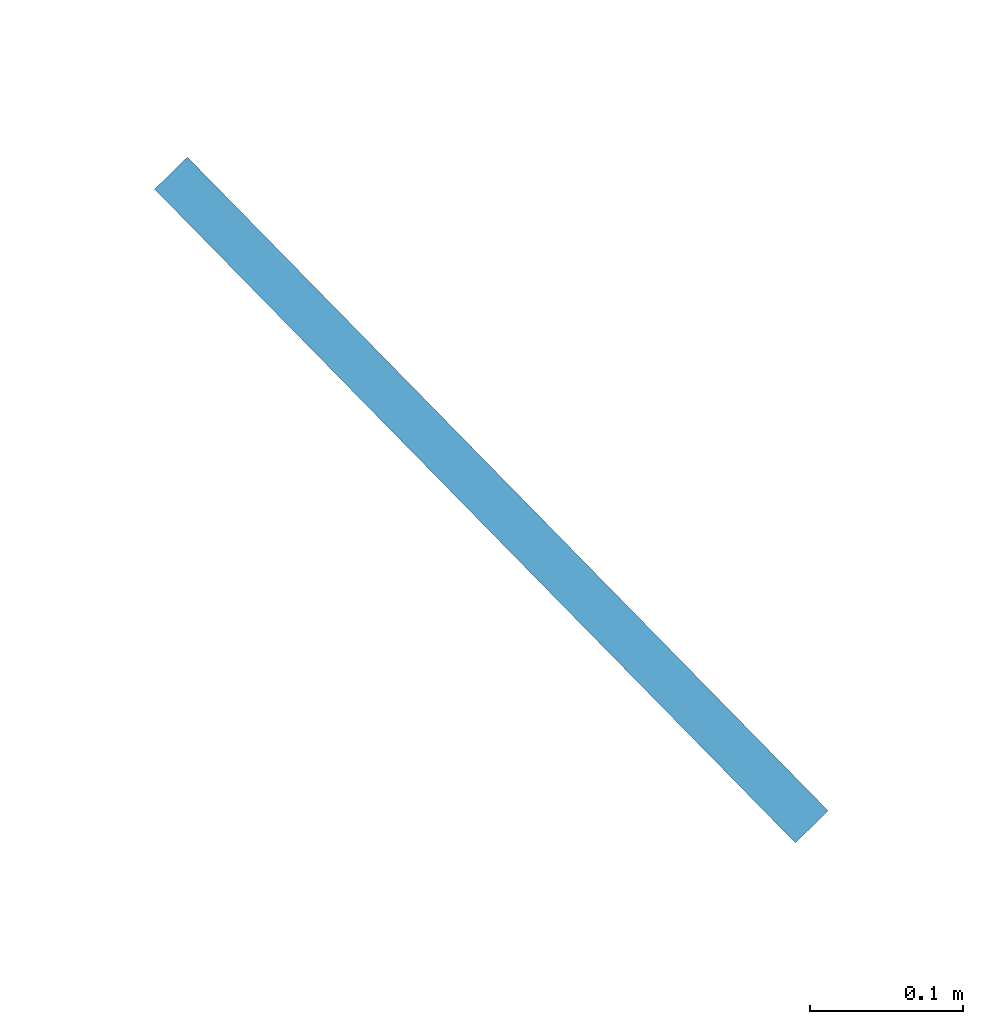
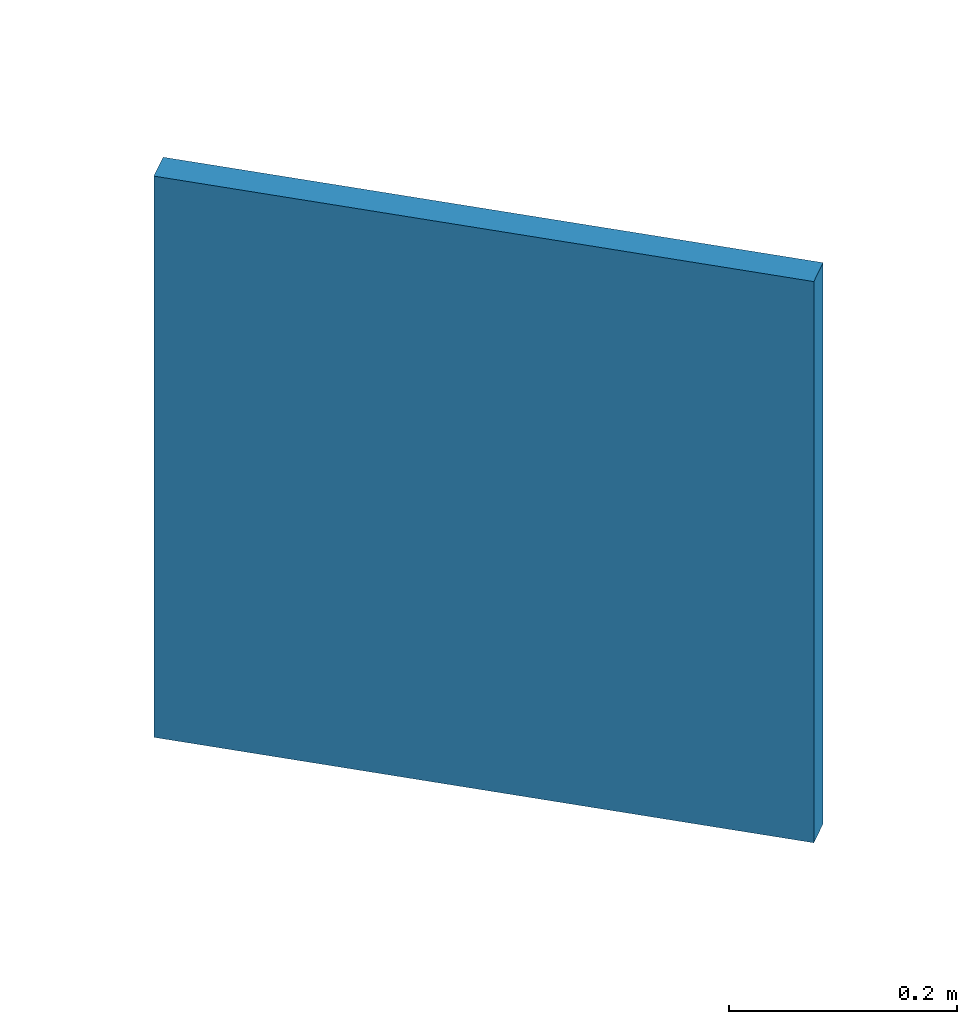
# One storey, part 15 of 19: 1 discrete accessory.
"""IFC4 building model written with IfcOpenShell, lengths in metres."""

from ifc_helpers import new_model, si_unit, direction, frame, origin, origin_2d, place, context, subcontext, project, spatial, rectangle, extrude, material, type_object, element, save


model = new_model("IFC4")

# Units and contexts
model_context = context("Model", 3, precision=1e-05, world=origin(), true_north=direction((0.0, 1.0)))
body_context = subcontext(model_context, "Body", "Model", "MODEL_VIEW")
ifc_project = project(units=[si_unit("LENGTHUNIT", "METRE"), si_unit("AREAUNIT", "SQUARE_METRE"), si_unit("VOLUMEUNIT", "CUBIC_METRE"), si_unit("PLANEANGLEUNIT", "RADIAN"), si_unit("MASSUNIT", "GRAM", prefix="KILO")], contexts=[model_context])

# Site, building, storey
site_placement = place(None, origin())
site = spatial("IfcSite", under=ifc_project, at=site_placement, CompositionType="ELEMENT")
building_placement = place(site_placement, origin())
building = spatial("IfcBuilding", under=site, at=building_placement, Name="Tuul Gate Civic Tower", CompositionType="ELEMENT")
storey_placement = place(building_placement, frame((0.0, 0.0, 56.699951171875)))
storey = spatial("IfcBuildingStorey", under=building, at=storey_placement, Name="Level 12", CompositionType="ELEMENT", Elevation=56.699951171875)

# Discrete accessory
ifc_material = material(Name="Steel S355", Category="steel")
discrete_accessory_type = type_object("IfcDiscreteAccessoryType", Name="Gusset plate", PredefinedType="BRACKET", material=ifc_material)
discrete_accessory_placement = place(storey_placement, frame((53.706298828125, 0.21630859375, 2.796630859375), z_axis=(0.0, 0.0, 1.0), x_axis=(0.700000236809, -0.714142610735, 0.0)))
element("IfcDiscreteAccessory", 1, at=discrete_accessory_placement, inside=storey, type_object=discrete_accessory_type, Name="Gusset plate", PredefinedType="BRACKET", context=body_context, shape_type="SweptSolid", body=[
    extrude(rectangle(XDim=0.60009765625, YDim=0.030029296875, at=origin_2d()), origin(), (0.0, 0.0, 1.0), 0.60009765625),
])

save(model, "model.ifc")
